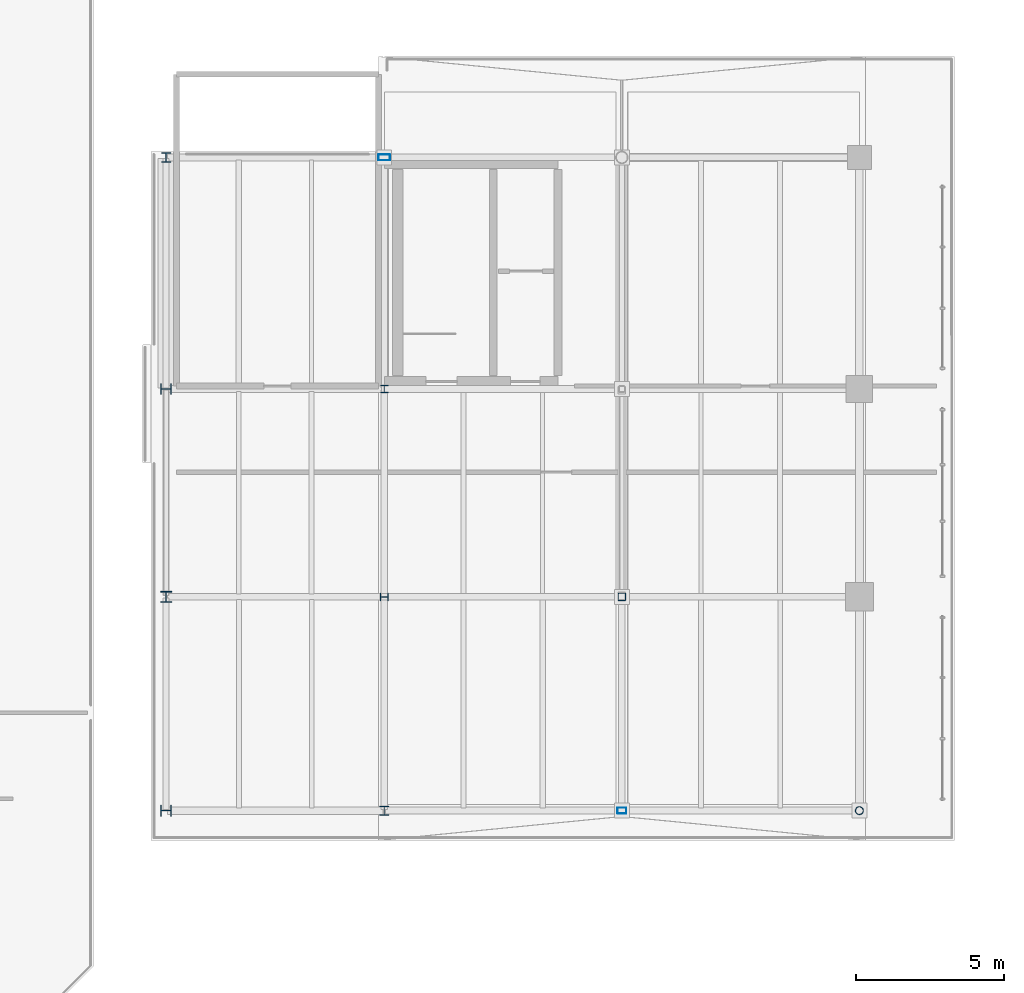
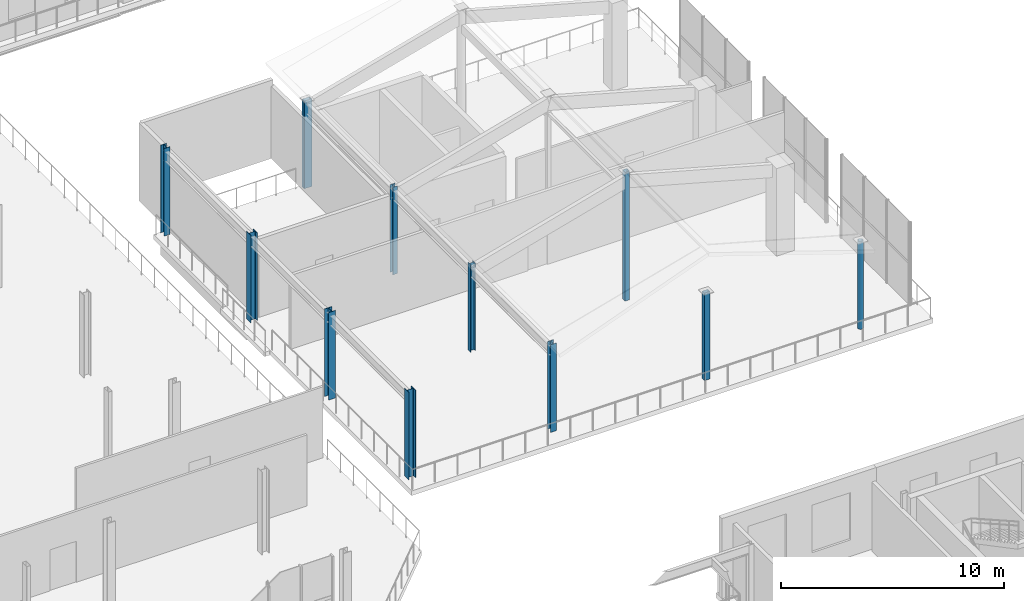
# One storey, part 12 of 70: 11 columns.
"""IFC4 building model written with IfcOpenShell, lengths in metres."""

from ifc_helpers import new_model, si_unit, direction, frame, origin, origin_2d, place, context, subcontext, project, spatial, hollow_rectangle, hollow_circle, i_section, extrude, material, material_profile, profile_set, type_object, element, save


model = new_model("IFC4")

# Units and contexts
model_context = context("Model", 3, precision=1e-05, world=origin(), true_north=direction((0.0, 1.0)))
body_context = subcontext(model_context, "Body", "Model", "MODEL_VIEW")
ifc_project = project(units=[si_unit("LENGTHUNIT", "METRE"), si_unit("AREAUNIT", "SQUARE_METRE"), si_unit("VOLUMEUNIT", "CUBIC_METRE"), si_unit("PLANEANGLEUNIT", "RADIAN"), si_unit("MASSUNIT", "GRAM", prefix="KILO")], contexts=[model_context])

# Site, building, storey
site_placement = place(None, origin())
site = spatial("IfcSite", under=ifc_project, at=site_placement, CompositionType="ELEMENT")
building_placement = place(site_placement, origin())
building = spatial("IfcBuilding", under=site, at=building_placement, Name="Brisemont Oceanarium", CompositionType="ELEMENT")
storey_placement = place(building_placement, frame((0.0, 0.0, 10.199951171875)))
storey = spatial("IfcBuildingStorey", under=building, at=storey_placement, Name="L02", CompositionType="ELEMENT", Elevation=10.199951171875)

# Columns
ifc_material_1 = material(Name="Structural Steel ASTM A500 Gr.C", Category="steel")
ifc_material_profile_1 = material_profile(ifc_material_1, hollow_circle(Radius=0.136474609375, WallThickness=0.01171875, at=origin_2d()), Name="HSS10.750X0.500")
ifc_profile_set_1 = profile_set([ifc_material_profile_1], Name="Structural Steel ASTM A500 Gr.C")
column_type_1 = type_object("IfcColumnType", Name="COL-CHS10", PredefinedType="COLUMN", material=ifc_profile_set_1)
column_1_placement = place(storey_placement, frame((136.0, 41.800048828125, 0.0), z_axis=(0.0, 0.0, 1.0), x_axis=(1.0, 0.0, 0.0)))
element("IfcColumn", 1, at=column_1_placement, inside=storey, type_object=column_type_1, Name="V5E L02 column (3,1)", PredefinedType="COLUMN", context=body_context, shape_type="SweptSolid", body=[
    extrude(hollow_circle(Radius=0.136474609375, WallThickness=0.01171875, at=origin_2d()), origin(), (0.0, 0.0, 1.0), 4.800048828125),
])
ifc_material_2 = material(Name="Structural Steel ASTM A500 Gr.C", Category="steel")
ifc_material_profile_2 = material_profile(ifc_material_2, hollow_rectangle(XDim=0.25390625, YDim=0.25390625, WallThickness=0.01171875, InnerFilletRadius=0.01220703125, OuterFilletRadius=0.02392578125, at=origin_2d()), Name="HSS10X10X1/2")
ifc_profile_set_2 = profile_set([ifc_material_profile_2], Name="Structural Steel ASTM A500 Gr.C")
column_type_2 = type_object("IfcColumnType", Name="COL-HSS10X10", PredefinedType="COLUMN", material=ifc_profile_set_2)
column_2_placement = place(storey_placement, frame((128.0, 49.0, 0.0), z_axis=(0.0, 0.0, 1.0), x_axis=(1.0, 0.0, 0.0)))
element("IfcColumn", 2, at=column_2_placement, inside=storey, type_object=column_type_2, Name="V5E L02 column (2,2)", PredefinedType="COLUMN", context=body_context, shape_type="SweptSolid", body=[
    extrude(hollow_rectangle(XDim=0.25390625, YDim=0.25390625, WallThickness=0.01171875, InnerFilletRadius=0.01220703125, OuterFilletRadius=0.02392578125, at=origin_2d()), origin(), (0.0, 0.0, 1.0), 7.050048828125),
])
ifc_material_3 = material(Name="Structural Steel ASTM A500 Gr.C", Category="steel")
ifc_material_profile_3 = material_profile(ifc_material_3, hollow_rectangle(XDim=0.202880859375, YDim=0.304931640625, WallThickness=0.0087890625, InnerFilletRadius=0.009033203125, OuterFilletRadius=0.01806640625, at=origin_2d()), Name="HSS12X8X3/8")
ifc_profile_set_3 = profile_set([ifc_material_profile_3], Name="Structural Steel ASTM A500 Gr.C")
column_type_3 = type_object("IfcColumnType", Name="COL-HSS12X8", PredefinedType="COLUMN", material=ifc_profile_set_3)
column_3_placement = place(storey_placement, frame((128.0, 41.800048828125, 0.0), z_axis=(0.0, 0.0, 1.0), x_axis=(0.0, 1.0, 0.0)))
element("IfcColumn", 3, at=column_3_placement, inside=storey, type_object=column_type_3, Name="V5E L02 column (2,1)", PredefinedType="COLUMN", context=body_context, shape_type="SweptSolid", body=[
    extrude(hollow_rectangle(XDim=0.202880859375, YDim=0.304931640625, WallThickness=0.0087890625, InnerFilletRadius=0.009033203125, OuterFilletRadius=0.01806640625, at=origin_2d()), origin(), (0.0, 0.0, 1.0), 4.800048828125),
])
ifc_material_4 = material(Name="Structural Steel ASTM A500 Gr.C", Category="steel")
ifc_material_profile_4 = material_profile(ifc_material_4, hollow_rectangle(XDim=0.202880859375, YDim=0.406005859375, WallThickness=0.01171875, InnerFilletRadius=0.01220703125, OuterFilletRadius=0.02392578125, at=origin_2d()), Name="HSS16X8X1/2")
ifc_profile_set_4 = profile_set([ifc_material_profile_4], Name="Structural Steel ASTM A500 Gr.C")
column_type_4 = type_object("IfcColumnType", Name="COL-HSS16X8", PredefinedType="COLUMN", material=ifc_profile_set_4)
column_4_placement = place(storey_placement, frame((120.0, 63.800048828125, 0.0), z_axis=(0.0, 0.0, 1.0), x_axis=(0.0, 1.0, 0.0)))
element("IfcColumn", 4, at=column_4_placement, inside=storey, type_object=column_type_4, Name="V5E L02 column (1,4)", PredefinedType="COLUMN", context=body_context, shape_type="SweptSolid", body=[
    extrude(hollow_rectangle(XDim=0.202880859375, YDim=0.406005859375, WallThickness=0.01171875, InnerFilletRadius=0.01220703125, OuterFilletRadius=0.02392578125, at=origin_2d()), origin(), (0.0, 0.0, 1.0), 4.800048828125),
])
ifc_material_5 = material(Name="Structural Steel ASTM A992 Gr.50", Category="steel")
ifc_material_profile_5 = material_profile(ifc_material_5, i_section(OverallWidth=0.25390625, OverallDepth=0.25390625, WebThickness=0.008544921875, FlangeThickness=0.01416015625, FilletRadius=0.010986328125, at=origin_2d()), Name="W10X49")
ifc_profile_set_5 = profile_set([ifc_material_profile_5], Name="Structural Steel ASTM A992 Gr.50")
column_type_5 = type_object("IfcColumnType", Name="COL-W10X49", PredefinedType="COLUMN", material=ifc_profile_set_5)
column_5_placement = place(storey_placement, frame((120.0, 56.0, 0.0), z_axis=(0.0, 0.0, 1.0), x_axis=(1.0, 0.0, 0.0)))
element("IfcColumn", 5, at=column_5_placement, inside=storey, type_object=column_type_5, Name="V5E L02 column (1,3)", PredefinedType="COLUMN", context=body_context, shape_type="SweptSolid", body=[
    extrude(i_section(OverallWidth=0.25390625, OverallDepth=0.25390625, WebThickness=0.008544921875, FlangeThickness=0.01416015625, FilletRadius=0.010986328125, at=origin_2d()), origin(), (0.0, 0.0, 1.0), 4.800048828125),
])
ifc_material_6 = material(Name="Structural Steel ASTM A992 Gr.50", Category="steel")
ifc_material_profile_6 = material_profile(ifc_material_6, i_section(OverallWidth=0.256103515625, OverallDepth=0.260009765625, WebThickness=0.0107421875, FlangeThickness=0.017333984375, FilletRadius=0.010986328125, at=origin_2d()), Name="W10X60")
ifc_profile_set_6 = profile_set([ifc_material_profile_6], Name="Structural Steel ASTM A992 Gr.50")
column_type_6 = type_object("IfcColumnType", Name="COL-W10X60", PredefinedType="COLUMN", material=ifc_profile_set_6)
column_6_placement = place(storey_placement, frame((120.0, 49.0, 0.0), z_axis=(0.0, 0.0, 1.0), x_axis=(0.0, 1.0, 0.0)))
element("IfcColumn", 6, at=column_6_placement, inside=storey, type_object=column_type_6, Name="V5E L02 column (1,2)", PredefinedType="COLUMN", context=body_context, shape_type="SweptSolid", body=[
    extrude(i_section(OverallWidth=0.256103515625, OverallDepth=0.260009765625, WebThickness=0.0107421875, FlangeThickness=0.017333984375, FilletRadius=0.010986328125, at=origin_2d()), origin(), (0.0, 0.0, 1.0), 4.800048828125),
])
ifc_material_7 = material(Name="Structural Steel ASTM A992 Gr.50", Category="steel")
ifc_material_profile_7 = material_profile(ifc_material_7, i_section(OverallWidth=0.304931640625, OverallDepth=0.306884765625, WebThickness=0.010009765625, FlangeThickness=0.015380859375, FilletRadius=0.012939453125, at=origin_2d()), Name="W12X65")
ifc_profile_set_7 = profile_set([ifc_material_profile_7], Name="Structural Steel ASTM A992 Gr.50")
column_type_7 = type_object("IfcColumnType", Name="COL-W12X65", PredefinedType="COLUMN", material=ifc_profile_set_7)
column_7_placement = place(storey_placement, frame((120.0, 41.800048828125, 0.0), z_axis=(0.0, 0.0, 1.0), x_axis=(1.0, 0.0, 0.0)))
element("IfcColumn", 7, at=column_7_placement, inside=storey, type_object=column_type_7, Name="V5E L02 column (1,1)", PredefinedType="COLUMN", context=body_context, shape_type="SweptSolid", body=[
    extrude(i_section(OverallWidth=0.304931640625, OverallDepth=0.306884765625, WebThickness=0.010009765625, FlangeThickness=0.015380859375, FilletRadius=0.012939453125, at=origin_2d()), origin(), (0.0, 0.0, 1.0), 4.800048828125),
])
ifc_material_8 = material(Name="Structural Steel ASTM A992 Gr.50", Category="steel")
ifc_material_profile_8 = material_profile(ifc_material_8, i_section(OverallWidth=0.30810546875, OverallDepth=0.318115234375, WebThickness=0.01318359375, FlangeThickness=0.0205078125, FilletRadius=0.012939453125, at=origin_2d()), Name="W12X87")
ifc_profile_set_8 = profile_set([ifc_material_profile_8], Name="Structural Steel ASTM A992 Gr.50")
column_type_8 = type_object("IfcColumnType", Name="COL-W12X87", PredefinedType="COLUMN", material=ifc_profile_set_8)
column_8_placement = place(storey_placement, frame((112.64990234375, 63.800048828125, 0.0), z_axis=(0.0, 0.0, 1.0), x_axis=(1.0, 0.0, 0.0)))
element("IfcColumn", 8, at=column_8_placement, inside=storey, type_object=column_type_8, Name="V5E L02 column (0,4)", PredefinedType="COLUMN", context=body_context, shape_type="SweptSolid", body=[
    extrude(i_section(OverallWidth=0.30810546875, OverallDepth=0.318115234375, WebThickness=0.01318359375, FlangeThickness=0.0205078125, FilletRadius=0.012939453125, at=origin_2d()), origin(), (0.0, 0.0, 1.0), 4.800048828125),
])
ifc_material_9 = material(Name="Structural Steel ASTM A992 Gr.50", Category="steel")
ifc_material_profile_9 = material_profile(ifc_material_9, i_section(OverallWidth=0.37109375, OverallDepth=0.364013671875, WebThickness=0.01318359375, FlangeThickness=0.021728515625, FilletRadius=0.014892578125, at=origin_2d()), Name="W14X109")
ifc_profile_set_9 = profile_set([ifc_material_profile_9], Name="Structural Steel ASTM A992 Gr.50")
column_type_9 = type_object("IfcColumnType", Name="COL-W14X109", PredefinedType="COLUMN", material=ifc_profile_set_9)
column_9_placement = place(storey_placement, frame((112.64990234375, 41.800048828125, 0.0), z_axis=(0.0, 0.0, 1.0), x_axis=(0.0, 1.0, 0.0)))
element("IfcColumn", 9, at=column_9_placement, inside=storey, type_object=column_type_9, Name="V5E L02 column (0,1)", PredefinedType="COLUMN", context=body_context, shape_type="SweptSolid", body=[
    extrude(i_section(OverallWidth=0.37109375, OverallDepth=0.364013671875, WebThickness=0.01318359375, FlangeThickness=0.021728515625, FilletRadius=0.014892578125, at=origin_2d()), origin(), (0.0, 0.0, 1.0), 4.800048828125),
])
ifc_material_10 = material(Name="Structural Steel ASTM A992 Gr.50", Category="steel")
ifc_material_profile_10 = material_profile(ifc_material_10, i_section(OverallWidth=0.367919921875, OverallDepth=0.35595703125, WebThickness=0.01123046875, FlangeThickness=0.01806640625, FilletRadius=0.014892578125, at=origin_2d()), Name="W14X90")
ifc_profile_set_10 = profile_set([ifc_material_profile_10], Name="Structural Steel ASTM A992 Gr.50")
column_type_10 = type_object("IfcColumnType", Name="COL-W14X90", PredefinedType="COLUMN", material=ifc_profile_set_10)
column_10_placement = place(storey_placement, frame((112.64990234375, 56.0, 0.0), z_axis=(0.0, 0.0, 1.0), x_axis=(0.0, 1.0, 0.0)))
element("IfcColumn", 10, at=column_10_placement, inside=storey, type_object=column_type_10, Name="V5E L02 column (0,3)", PredefinedType="COLUMN", context=body_context, shape_type="SweptSolid", body=[
    extrude(i_section(OverallWidth=0.367919921875, OverallDepth=0.35595703125, WebThickness=0.01123046875, FlangeThickness=0.01806640625, FilletRadius=0.014892578125, at=origin_2d()), origin(), (0.0, 0.0, 1.0), 4.800048828125),
])
ifc_material_11 = material(Name="Structural Steel ASTM A992 Gr.50", Category="steel")
ifc_material_profile_11 = material_profile(ifc_material_11, i_section(OverallWidth=0.37109375, OverallDepth=0.361083984375, WebThickness=0.01220703125, FlangeThickness=0.019775390625, FilletRadius=0.014892578125, at=origin_2d()), Name="W14X99")
ifc_profile_set_11 = profile_set([ifc_material_profile_11], Name="Structural Steel ASTM A992 Gr.50")
column_type_11 = type_object("IfcColumnType", Name="COL-W14X99", PredefinedType="COLUMN", material=ifc_profile_set_11)
column_11_placement = place(storey_placement, frame((112.64990234375, 49.0, 0.0), z_axis=(0.0, 0.0, 1.0), x_axis=(1.0, 0.0, 0.0)))
element("IfcColumn", 11, at=column_11_placement, inside=storey, type_object=column_type_11, Name="V5E L02 column (0,2)", PredefinedType="COLUMN", context=body_context, shape_type="SweptSolid", body=[
    extrude(i_section(OverallWidth=0.37109375, OverallDepth=0.361083984375, WebThickness=0.01220703125, FlangeThickness=0.019775390625, FilletRadius=0.014892578125, at=origin_2d()), origin(), (0.0, 0.0, 1.0), 4.800048828125),
])

save(model, "model.ifc")
